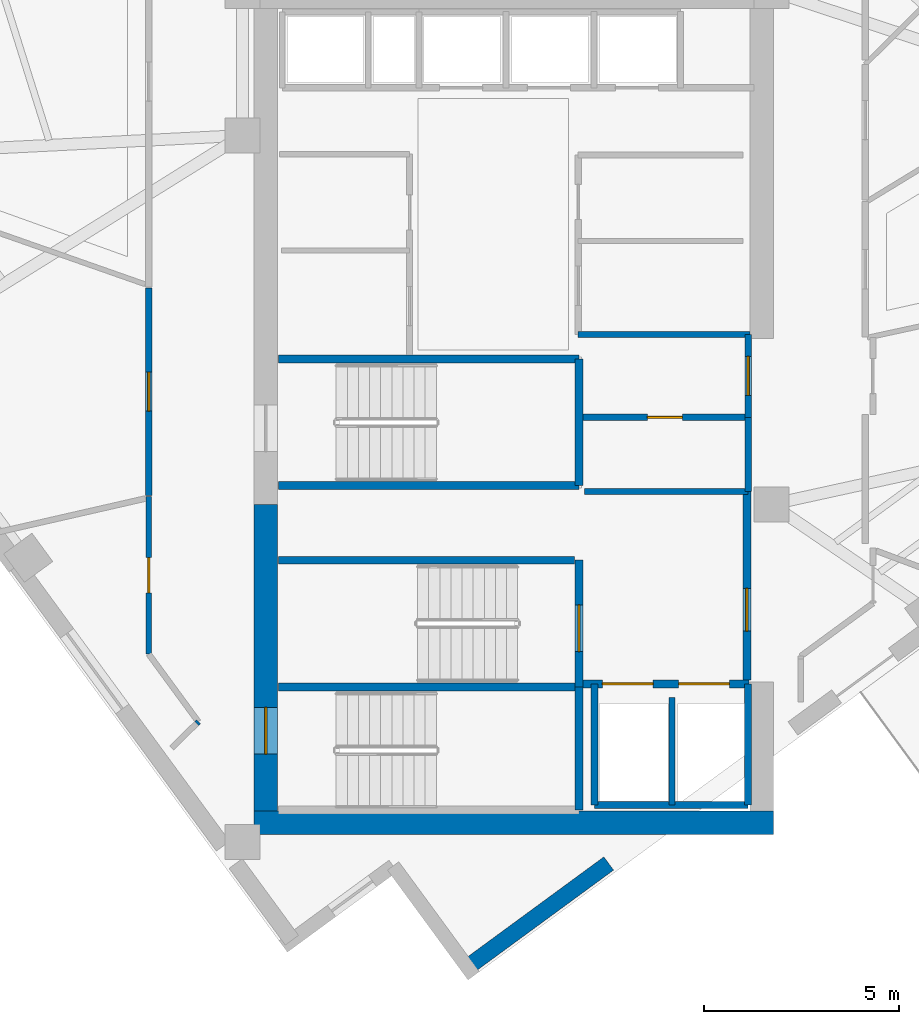
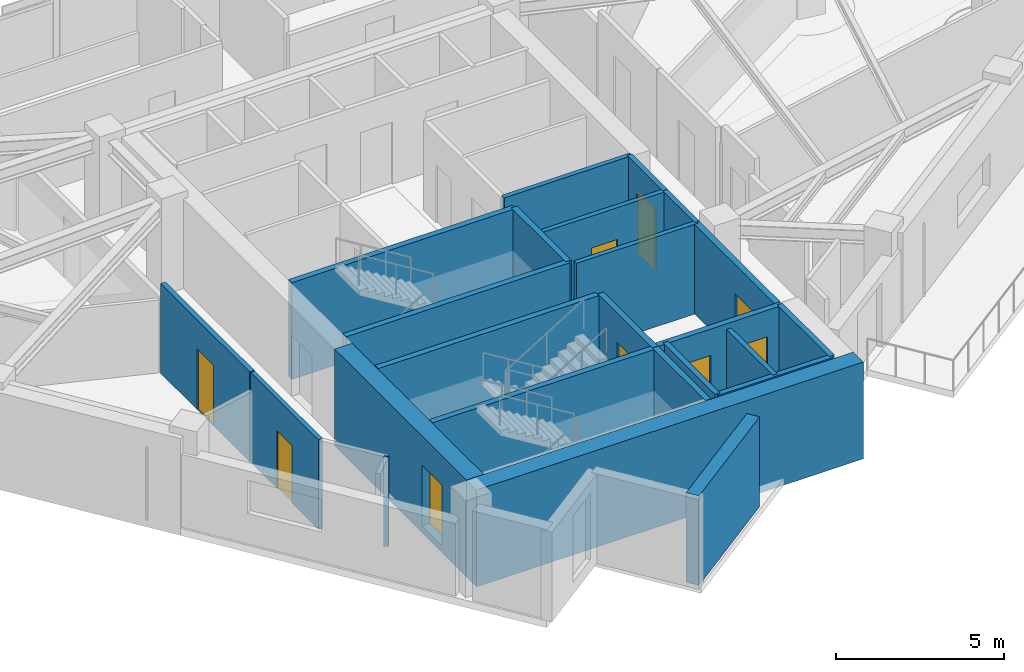
# One storey, part 8 of 13: 24 walls, 9 doors, 9 openings.
"""IFC4 building model written with IfcOpenShell, lengths in metres."""

from ifc_helpers import new_model, si_unit, direction, frame, frame_2d, origin, place, context, subcontext, project, spatial, rectangle, extrude, material, layer, layer_set, type_object, element, fill, save


model = new_model("IFC4")

# Units and contexts
model_context = context("Model", 3, precision=1e-05, world=origin(), true_north=direction((0.0, 1.0)))
body_context = subcontext(model_context, "Body", "Model", "MODEL_VIEW")
ifc_project = project(units=[si_unit("LENGTHUNIT", "METRE"), si_unit("AREAUNIT", "SQUARE_METRE"), si_unit("VOLUMEUNIT", "CUBIC_METRE"), si_unit("PLANEANGLEUNIT", "RADIAN"), si_unit("MASSUNIT", "GRAM", prefix="KILO")], contexts=[model_context])

# Site, building, storey
site_placement = place(None, origin())
site = spatial("IfcSite", under=ifc_project, at=site_placement, CompositionType="ELEMENT")
building_placement = place(site_placement, origin())
building = spatial("IfcBuilding", under=site, at=building_placement, Name="Narakoshi Arena Tower", CompositionType="ELEMENT")
storey_placement = place(building_placement, frame((0.0, 0.0, 232.580078125)))
storey = spatial("IfcBuildingStorey", under=building, at=storey_placement, Name="L63", CompositionType="ELEMENT", Elevation=232.580078125)

# Wall, opening, door
ifc_material_1 = material(Name="Concrete C50/60", Category="concrete")
ifc_layer_1 = layer(ifc_material_1, 0.60009765625)
ifc_layer_set_1 = layer_set([ifc_layer_1], Name="Concrete C50/60")
wall_type_1 = type_object("IfcWallType", Name="WL-CORE-600", PredefinedType="SHEAR", material=ifc_layer_set_1)
wall_1_placement = place(storey_placement, frame((72.60009765625, 35.5, -0.260009765625), z_axis=(0.0, 0.0, 1.0), x_axis=(0.0, 1.0, 0.0)))
wall_1 = element("IfcWall", 1, at=wall_1_placement, inside=storey, type_object=wall_type_1, Name="L63 Central Core Shear Wall CW-APX-W", PredefinedType="SHEAR", context=body_context, shape_type="SweptSolid", body=[
    extrude(rectangle(XDim=7.85009765625, YDim=0.60009765625, at=frame_2d((3.925048828125, 0.0))), origin(), (0.0, 0.0, 1.0), 3.52001953125),
])
opening_1_placement = place(wall_1_placement, frame((1.449951171875, 0.0, 0.260009765625)))
opening_1 = element("IfcOpeningElement", 2, at=opening_1_placement, cuts=wall_1, Name="Opening D-03", PredefinedType="OPENING", context=body_context, shape_type="SweptSolid", body=[
    extrude(rectangle(XDim=1.199951171875, YDim=2.199951171875, at=frame_2d((0.60009765625, 1.10009765625))), frame((0.0, 0.31005859375, 0.0), z_axis=(0.0, -1.0, 0.0), x_axis=(1.0, 0.0, 0.0)), (0.0, 0.0, 1.0), 0.6201171875),
])
ifc_material_2 = material(Name="Painted galvanized steel", Category="steel")
door_type_1 = type_object("IfcDoorType", Name="DR-STR-1200", OperationType="NOTDEFINED", PredefinedType="USERDEFINED", material=ifc_material_2)
door_1_placement = place(opening_1_placement, frame((1.199951171875, 0.0, 0.0), z_axis=(0.0, 0.0, 1.0), x_axis=(-1.0, 0.0, 0.0)))
door_1 = element("IfcDoor", 3, at=door_1_placement, inside=storey, type_object=door_type_1, Name="DR-L63-002", ObjectType="EXITDOOR", OperationType="SINGLE_SWING_LEFT", OverallHeight=2.199951171875, OverallWidth=1.199951171875, PredefinedType="USERDEFINED", context=body_context, shape_type="SweptSolid", body=[
    extrude(rectangle(XDim=1.199951171875, YDim=2.199951171875, at=frame_2d((0.60009765625, 1.10009765625))), frame((0.0, 0.02490234375, 0.0), z_axis=(0.0, -1.0, 0.0), x_axis=(1.0, 0.0, 0.0)), (0.0, 0.0, 1.0), 0.050048828125),
])
fill(opening_1, door_1)

# Wall
wall_2_placement = place(storey_placement, frame((72.300048828125, 35.199951171875, -0.260009765625), z_axis=(0.0, 0.0, 1.0), x_axis=(1.0, 0.0, 0.0)))
element("IfcWall", 4, at=wall_2_placement, inside=storey, type_object=wall_type_1, Name="L63 Central Core Shear Wall CW-APX-S", PredefinedType="SHEAR", context=body_context, shape_type="SweptSolid", body=[
    extrude(rectangle(XDim=13.300048828125, YDim=0.60009765625, at=frame_2d((6.64990234375, 0.0))), origin(), (0.0, 0.0, 1.0), 3.52001953125),
])

# Wall, opening, door
ifc_material_3 = material(Name="Gypsum plasterboard fire-rated partition")
ifc_layer_2 = layer(ifc_material_3, 0.1650390625)
ifc_layer_set_2 = layer_set([ifc_layer_2], Name="Gypsum plasterboard fire-rated partition")
wall_type_2 = type_object("IfcWallType", Name="WL-CORR-165", PredefinedType="PARTITIONING", material=ifc_layer_set_2)
wall_3_placement = place(storey_placement, frame((84.949951171875, 45.580078125, 0.0), z_axis=(0.0, 0.0, 1.0), x_axis=(0.0, 1.0, 0.0)))
wall_3 = element("IfcWall", 5, at=wall_3_placement, inside=storey, type_object=wall_type_2, Name="L63 Core Wall CPAS-E", PredefinedType="PARTITIONING", context=body_context, shape_type="SweptSolid", body=[
    extrude(rectangle(XDim=2.119873046875, YDim=0.1650390625, at=frame_2d((1.06005859375, 0.0))), origin(), (0.0, 0.0, 1.0), 3.260009765625),
])
opening_2_placement = place(wall_3_placement, frame((0.56005859375, 0.0, 0.0)))
opening_2 = element("IfcOpeningElement", 6, at=opening_2_placement, cuts=wall_3, Name="Opening D-06", PredefinedType="OPENING", context=body_context, shape_type="SweptSolid", body=[
    extrude(rectangle(XDim=1.0, YDim=2.199951171875, at=frame_2d((0.5, 1.10009765625))), frame((0.0, 0.092529296875, 0.0), z_axis=(0.0, -1.0, 0.0), x_axis=(1.0, 0.0, 0.0)), (0.0, 0.0, 1.0), 0.18505859375),
])
ifc_material_4 = material(Name="Stained oak solid-core timber", Category="wood")
door_type_2 = type_object("IfcDoorType", Name="DR-OFF-1000", OperationType="NOTDEFINED", PredefinedType="DOOR", material=ifc_material_4)
door_2_placement = place(opening_2_placement, frame((1.0, 0.0, 0.0), z_axis=(0.0, 0.0, 1.0), x_axis=(-1.0, 0.0, 0.0)))
door_2 = element("IfcDoor", 7, at=door_2_placement, inside=storey, type_object=door_type_2, Name="DR-L63-008", OperationType="SINGLE_SWING_LEFT", OverallHeight=2.199951171875, OverallWidth=1.0, PredefinedType="DOOR", context=body_context, shape_type="SweptSolid", body=[
    extrude(rectangle(XDim=1.0, YDim=2.199951171875, at=frame_2d((0.5, 1.10009765625))), frame((0.0, 0.02490234375, 0.0), z_axis=(0.0, -1.0, 0.0), x_axis=(1.0, 0.0, 0.0)), (0.0, 0.0, 1.0), 0.050048828125),
])
fill(opening_2, door_2)

wall_4_placement = place(storey_placement, frame((69.60009765625, 48.890380859375, 0.0), z_axis=(0.0, 0.0, 1.0), x_axis=(0.0, -1.0, 0.0)))
wall_4 = element("IfcWall", 8, at=wall_4_placement, inside=storey, type_object=wall_type_2, Name="L63 Corridor Partition 09-1", PredefinedType="PARTITIONING", context=body_context, shape_type="SweptSolid", body=[
    extrude(rectangle(XDim=5.309326171875, YDim=0.1650390625, at=frame_2d((2.65478515625, 0.0))), origin(), (0.0, 0.0, 1.0), 3.260009765625),
])
opening_3_placement = place(wall_4_placement, frame((2.15478515625, 0.0, 0.0)))
opening_3 = element("IfcOpeningElement", 9, at=opening_3_placement, cuts=wall_4, Name="Opening D-06", PredefinedType="OPENING", context=body_context, shape_type="SweptSolid", body=[
    extrude(rectangle(XDim=1.0, YDim=2.199951171875, at=frame_2d((0.5, 1.10009765625))), frame((0.0, 0.092529296875, 0.0), z_axis=(0.0, -1.0, 0.0), x_axis=(1.0, 0.0, 0.0)), (0.0, 0.0, 1.0), 0.18505859375),
])
door_3_placement = place(opening_3_placement, frame((1.0, 0.0, 0.0), z_axis=(0.0, 0.0, 1.0), x_axis=(-1.0, 0.0, 0.0)))
door_3 = element("IfcDoor", 10, at=door_3_placement, inside=storey, type_object=door_type_2, Name="DR-L63-025", OperationType="SINGLE_SWING_LEFT", OverallHeight=2.199951171875, OverallWidth=1.0, PredefinedType="DOOR", context=body_context, shape_type="SweptSolid", body=[
    extrude(rectangle(XDim=1.0, YDim=2.199951171875, at=frame_2d((0.5, 1.10009765625))), frame((0.0, 0.02490234375, 0.0), z_axis=(0.0, -1.0, 0.0), x_axis=(1.0, 0.0, 0.0)), (0.0, 0.0, 1.0), 0.050048828125),
])
fill(opening_3, door_3)

# Walls
ifc_material_5 = material(Name="Precast concrete C45/55", Category="concrete")
ifc_layer_3 = layer(ifc_material_5, 0.419921875)
ifc_layer_set_3 = layer_set([ifc_layer_3], Name="Precast concrete C45/55")
wall_type_3 = type_object("IfcWallType", Name="WL-POD-420", PredefinedType="SOLIDWALL", material=ifc_layer_set_3)
wall_5_placement = place(storey_placement, frame((77.760009765625, 31.4951171875, 0.0), z_axis=(0.0, 0.0, 1.0), x_axis=(0.806458583304, 0.591290582891, 0.0)))
element("IfcWall", 11, at=wall_5_placement, inside=storey, type_object=wall_type_3, Name="L63 Architectural Concrete Facade Wall LEGA-1", PredefinedType="SOLIDWALL", context=body_context, shape_type="SweptSolid", body=[
    extrude(rectangle(XDim=4.48974609375, YDim=0.419921875, at=frame_2d((2.244873046875, 0.0))), origin(), (0.0, 0.0, 1.0), 3.260009765625),
])
ifc_material_6 = material(Name="Concrete C40/50", Category="concrete")
ifc_layer_4 = layer(ifc_material_6, 0.280029296875)
ifc_layer_set_4 = layer_set([ifc_layer_4], Name="Concrete C40/50")
wall_type_4 = type_object("IfcWallType", Name="WL-RISER-280", PredefinedType="PLUMBINGWALL", material=ifc_layer_set_4)
wall_6_placement = place(storey_placement, frame((83.0, 35.64990234375, 0.0), z_axis=(0.0, 0.0, 1.0), x_axis=(0.0, 1.0, 0.0)))
element("IfcWall", 12, at=wall_6_placement, inside=storey, type_object=wall_type_4, Name="L63 Core Wall FF-DIV", PredefinedType="PLUMBINGWALL", context=body_context, shape_type="SweptSolid", body=[
    extrude(rectangle(XDim=2.75, YDim=0.159912109375, at=frame_2d((1.375, 0.0))), origin(), (0.0, 0.0, 1.0), 3.260009765625),
])
wall_7_placement = place(storey_placement, frame((84.949951171875, 43.679931640625, 0.0), z_axis=(0.0, 0.0, 1.0), x_axis=(0.0, 1.0, 0.0)))
element("IfcWall", 13, at=wall_7_placement, inside=storey, type_object=wall_type_4, Name="L63 Core Wall RSR-E", PredefinedType="PLUMBINGWALL", context=body_context, shape_type="SweptSolid", body=[
    extrude(rectangle(XDim=1.900146484375, YDim=0.1650390625, at=frame_2d((0.9501953125, 0.0))), origin(), (0.0, 0.0, 1.0), 3.260009765625),
])

# Wall, opening, door
wall_8_placement = place(storey_placement, frame((80.719970703125, 45.580078125, 0.0), z_axis=(0.0, 0.0, 1.0), x_axis=(1.0, 0.0, 0.0)))
wall_8 = element("IfcWall", 14, at=wall_8_placement, inside=storey, type_object=wall_type_4, Name="L63 Core Wall RSR-N", PredefinedType="PLUMBINGWALL", context=body_context, shape_type="SweptSolid", body=[
    extrude(rectangle(XDim=4.22998046875, YDim=0.159912109375, at=frame_2d((2.114990234375, 0.0))), origin(), (0.0, 0.0, 1.0), 3.260009765625),
])
opening_4_placement = place(wall_8_placement, frame((1.64990234375, 0.0, 0.0)))
opening_4 = element("IfcOpeningElement", 15, at=opening_4_placement, cuts=wall_8, Name="Opening D-08", PredefinedType="OPENING", context=body_context, shape_type="SweptSolid", body=[
    extrude(rectangle(XDim=0.89990234375, YDim=2.10009765625, at=frame_2d((0.449951171875, 1.050048828125))), frame((0.0, 0.08984375, 0.0), z_axis=(0.0, -1.0, 0.0), x_axis=(1.0, 0.0, 0.0)), (0.0, 0.0, 1.0), 0.179931640625),
])
ifc_material_7 = material(Name="Moisture-resistant laminate timber", Category="wood")
door_type_3 = type_object("IfcDoorType", Name="DR-WC-900", OperationType="NOTDEFINED", PredefinedType="DOOR", material=ifc_material_7)
door_4_placement = place(opening_4_placement, frame((0.89990234375, 0.0, 0.0), z_axis=(0.0, 0.0, 1.0), x_axis=(-1.0, 0.0, 0.0)))
door_4 = element("IfcDoor", 16, at=door_4_placement, inside=storey, type_object=door_type_3, Name="DR-L63-009", OperationType="SINGLE_SWING_LEFT", OverallHeight=2.10009765625, OverallWidth=0.89990234375, PredefinedType="DOOR", context=body_context, shape_type="SweptSolid", body=[
    extrude(rectangle(XDim=0.89990234375, YDim=2.10009765625, at=frame_2d((0.449951171875, 1.050048828125))), frame((0.0, 0.02490234375, 0.0), z_axis=(0.0, -1.0, 0.0), x_axis=(1.0, 0.0, 0.0)), (0.0, 0.0, 1.0), 0.050048828125),
])
fill(opening_4, door_4)

# Walls
wall_9_placement = place(storey_placement, frame((80.760009765625, 43.679931640625, 0.0), z_axis=(0.0, 0.0, 1.0), x_axis=(1.0, 0.0, 0.0)))
element("IfcWall", 17, at=wall_9_placement, inside=storey, type_object=wall_type_4, Name="L63 Core Wall RSR-S", PredefinedType="PLUMBINGWALL", context=body_context, shape_type="SweptSolid", body=[
    extrude(rectangle(XDim=4.18994140625, YDim=0.159912109375, at=frame_2d((2.094970703125, 0.0))), origin(), (0.0, 0.0, 1.0), 3.260009765625),
])
ifc_layer_5 = layer(ifc_material_1, 0.35009765625)
ifc_layer_set_5 = layer_set([ifc_layer_5], Name="Concrete C50/60")
wall_type_5 = type_object("IfcWallType", Name="WL-SHAFT-350", PredefinedType="SOLIDWALL", material=ifc_layer_set_5)
wall_10_placement = place(storey_placement, frame((72.919921875, 38.675048828125, -0.260009765625), z_axis=(0.0, 0.0, 1.0), x_axis=(1.0, 0.0, 0.0)))
element("IfcWall", 18, at=wall_10_placement, inside=storey, type_object=wall_type_5, Name="L63 Core Wall ST12-DIV", PredefinedType="SOLIDWALL", context=body_context, shape_type="SweptSolid", body=[
    extrude(rectangle(XDim=7.7001953125, YDim=0.199951171875, at=frame_2d((3.85009765625, 0.0))), origin(), (0.0, 0.0, 1.0), 3.52001953125),
])
wall_11_placement = place(storey_placement, frame((80.6201171875, 35.52001953125, -0.260009765625), z_axis=(0.0, 0.0, 1.0), x_axis=(0.0, 1.0, 0.0)))
element("IfcWall", 19, at=wall_11_placement, inside=storey, type_object=wall_type_5, Name="L63 Core Wall ST1-E", PredefinedType="SOLIDWALL", context=body_context, shape_type="SweptSolid", body=[
    extrude(rectangle(XDim=3.155029296875, YDim=0.199951171875, at=frame_2d((1.57763671875, 0.0))), origin(), (0.0, 0.0, 1.0), 3.52001953125),
])

# Wall, opening, door
wall_12_placement = place(storey_placement, frame((80.6201171875, 38.675048828125, -0.260009765625), z_axis=(0.0, 0.0, 1.0), x_axis=(0.0, 1.0, 0.0)))
wall_12 = element("IfcWall", 20, at=wall_12_placement, inside=storey, type_object=wall_type_5, Name="L63 Core Wall ST2-E", PredefinedType="SOLIDWALL", context=body_context, shape_type="SweptSolid", body=[
    extrude(rectangle(XDim=3.244873046875, YDim=0.199951171875, at=frame_2d((1.62255859375, 0.0))), origin(), (0.0, 0.0, 1.0), 3.52001953125),
])
opening_5_placement = place(wall_12_placement, frame((0.89990234375, 0.0, 0.260009765625)))
opening_5 = element("IfcOpeningElement", 21, at=opening_5_placement, cuts=wall_12, Name="Opening D-03", PredefinedType="OPENING", context=body_context, shape_type="SweptSolid", body=[
    extrude(rectangle(XDim=1.199951171875, YDim=2.199951171875, at=frame_2d((0.60009765625, 1.10009765625))), frame((0.0, 0.10986328125, 0.0), z_axis=(0.0, -1.0, 0.0), x_axis=(1.0, 0.0, 0.0)), (0.0, 0.0, 1.0), 0.219970703125),
])
door_5_placement = place(opening_5_placement, origin())
door_5 = element("IfcDoor", 22, at=door_5_placement, inside=storey, type_object=door_type_1, Name="DR-L63-003", ObjectType="EXITDOOR", OperationType="SINGLE_SWING_RIGHT", OverallHeight=2.199951171875, OverallWidth=1.199951171875, PredefinedType="USERDEFINED", context=body_context, shape_type="SweptSolid", body=[
    extrude(rectangle(XDim=1.199951171875, YDim=2.199951171875, at=frame_2d((0.60009765625, 1.10009765625))), frame((0.0, 0.02490234375, 0.0), z_axis=(0.0, -1.0, 0.0), x_axis=(1.0, 0.0, 0.0)), (0.0, 0.0, 1.0), 0.050048828125),
])
fill(opening_5, door_5)

# Wall, openings, doors
wall_13_placement = place(storey_placement, frame((80.719970703125, 38.75, 0.0), z_axis=(0.0, 0.0, 1.0), x_axis=(1.0, 0.0, 0.0)))
wall_13 = element("IfcWall", 23, at=wall_13_placement, inside=storey, type_object=wall_type_5, Name="L63 Core Wall FF-N", PredefinedType="SOLIDWALL", context=body_context, shape_type="SweptSolid", body=[
    extrude(rectangle(XDim=4.260009765625, YDim=0.199951171875, at=frame_2d((2.1298828125, 0.0))), origin(), (0.0, 0.0, 1.0), 3.260009765625),
])
opening_6_placement = place(wall_13_placement, frame((0.5, 0.0, 0.0)))
opening_6 = element("IfcOpeningElement", 24, at=opening_6_placement, cuts=wall_13, Name="Opening LD-02", PredefinedType="OPENING", context=body_context, shape_type="SweptSolid", body=[
    extrude(rectangle(XDim=1.300048828125, YDim=2.300048828125, at=frame_2d((0.64990234375, 1.14990234375))), frame((0.0, 0.10986328125, 0.0), z_axis=(0.0, -1.0, 0.0), x_axis=(1.0, 0.0, 0.0)), (0.0, 0.0, 1.0), 0.219970703125),
])
opening_7_placement = place(wall_13_placement, frame((2.449951171875, 0.0, 0.0)))
opening_7 = element("IfcOpeningElement", 25, at=opening_7_placement, cuts=wall_13, Name="Opening LD-02", PredefinedType="OPENING", context=body_context, shape_type="SweptSolid", body=[
    extrude(rectangle(XDim=1.300048828125, YDim=2.300048828125, at=frame_2d((0.64990234375, 1.14990234375))), frame((0.0, 0.10986328125, 0.0), z_axis=(0.0, -1.0, 0.0), x_axis=(1.0, 0.0, 0.0)), (0.0, 0.0, 1.0), 0.219970703125),
])
ifc_material_8 = material(Name="Brushed bronze stainless steel", Category="steel")
door_type_4 = type_object("IfcDoorType", Name="DR-LFT-1300", OperationType="DOUBLE_DOOR_SLIDING", PredefinedType="DOOR", material=ifc_material_8)
door_6_placement = place(opening_6_placement, origin())
door_6 = element("IfcDoor", 26, at=door_6_placement, inside=storey, type_object=door_type_4, Name="DR-L63-004", OperationType="DOUBLE_DOOR_SLIDING", OverallHeight=2.300048828125, OverallWidth=1.300048828125, PredefinedType="DOOR", context=body_context, shape_type="SweptSolid", body=[
    extrude(rectangle(XDim=1.300048828125, YDim=2.300048828125, at=frame_2d((0.64990234375, 1.14990234375))), frame((0.0, 0.02490234375, 0.0), z_axis=(0.0, -1.0, 0.0), x_axis=(1.0, 0.0, 0.0)), (0.0, 0.0, 1.0), 0.050048828125),
])
fill(opening_6, door_6)
door_7_placement = place(opening_7_placement, origin())
door_7 = element("IfcDoor", 27, at=door_7_placement, inside=storey, type_object=door_type_4, Name="DR-L63-005", OperationType="DOUBLE_DOOR_SLIDING", OverallHeight=2.300048828125, OverallWidth=1.300048828125, PredefinedType="DOOR", context=body_context, shape_type="SweptSolid", body=[
    extrude(rectangle(XDim=1.300048828125, YDim=2.300048828125, at=frame_2d((0.64990234375, 1.14990234375))), frame((0.0, 0.02490234375, 0.0), z_axis=(0.0, -1.0, 0.0), x_axis=(1.0, 0.0, 0.0)), (0.0, 0.0, 1.0), 0.050048828125),
])
fill(opening_7, door_7)

# Walls
for number, where, z_axis, x_axis, name in (
    (28, (84.949951171875, 35.64990234375, 0.0), (0.0, 0.0, 1.0), (0.0, 1.0, 0.0), "L63 Core Wall FF-E"),
    (29, (81.02001953125, 35.64990234375, 0.0), (0.0, 0.0, 1.0), (0.0, 1.0, 0.0), "L63 Core Wall FF-W"),
):
    element("IfcWall", number, at=place(storey_placement, frame(where, z_axis=z_axis, x_axis=x_axis)), inside=storey, type_object=wall_type_5, Name=name, PredefinedType="SOLIDWALL", context=body_context, shape_type="SweptSolid", body=[
        extrude(rectangle(XDim=3.10009765625, YDim=0.179931640625, at=frame_2d((1.550048828125, 0.0))), origin(), (0.0, 0.0, 1.0), 3.260009765625),
    ])
wall_14_placement = place(storey_placement, frame((81.02001953125, 35.64990234375, 0.0), z_axis=(0.0, 0.0, 1.0), x_axis=(1.0, 0.0, 0.0)))
element("IfcWall", 30, at=wall_14_placement, inside=storey, type_object=wall_type_5, Name="L63 Core Wall FF-S", PredefinedType="SOLIDWALL", context=body_context, shape_type="SweptSolid", body=[
    extrude(rectangle(XDim=3.929931640625, YDim=0.179931640625, at=frame_2d((1.96484375, 0.0))), origin(), (0.0, 0.0, 1.0), 3.260009765625),
])

# Wall, opening, door
wall_15_placement = place(storey_placement, frame((84.919921875, 38.85009765625, 0.0), z_axis=(0.0, 0.0, 1.0), x_axis=(0.0, 1.0, 0.0)))
wall_15 = element("IfcWall", 31, at=wall_15_placement, inside=storey, type_object=wall_type_5, Name="L63 Core Wall FFLOB-E", PredefinedType="SOLIDWALL", context=body_context, shape_type="SweptSolid", body=[
    extrude(rectangle(XDim=4.829833984375, YDim=0.199951171875, at=frame_2d((2.4150390625, 0.0))), origin(), (0.0, 0.0, 1.0), 3.260009765625),
])
opening_8_placement = place(wall_15_placement, frame((1.25, 0.0, 0.0)))
opening_8 = element("IfcOpeningElement", 32, at=opening_8_placement, cuts=wall_15, Name="Opening D-04", PredefinedType="OPENING", context=body_context, shape_type="SweptSolid", body=[
    extrude(rectangle(XDim=1.10009765625, YDim=2.199951171875, at=frame_2d((0.550048828125, 1.10009765625))), frame((0.0, 0.10986328125, 0.0), z_axis=(0.0, -1.0, 0.0), x_axis=(1.0, 0.0, 0.0)), (0.0, 0.0, 1.0), 0.219970703125),
])
door_type_5 = type_object("IfcDoorType", Name="DR-FFL-1100", OperationType="NOTDEFINED", PredefinedType="DOOR", material=ifc_material_2)
door_8_placement = place(opening_8_placement, frame((1.10009765625, 0.0, 0.0), z_axis=(0.0, 0.0, 1.0), x_axis=(-1.0, 0.0, 0.0)))
door_8 = element("IfcDoor", 33, at=door_8_placement, inside=storey, type_object=door_type_5, Name="DR-L63-006", OperationType="SINGLE_SWING_RIGHT", OverallHeight=2.199951171875, OverallWidth=1.10009765625, PredefinedType="DOOR", context=body_context, shape_type="SweptSolid", body=[
    extrude(rectangle(XDim=1.10009765625, YDim=2.199951171875, at=frame_2d((0.550048828125, 1.10009765625))), frame((0.0, 0.02490234375, 0.0), z_axis=(0.0, -1.0, 0.0), x_axis=(1.0, 0.0, 0.0)), (0.0, 0.0, 1.0), 0.050048828125),
])
fill(opening_8, door_8)

# Walls
wall_16_placement = place(storey_placement, frame((72.919921875, 41.919921875, -0.260009765625), z_axis=(0.0, 0.0, 1.0), x_axis=(1.0, 0.0, 0.0)))
element("IfcWall", 34, at=wall_16_placement, inside=storey, type_object=wall_type_5, Name="L63 Core Wall ST2-N", PredefinedType="SOLIDWALL", context=body_context, shape_type="SweptSolid", body=[
    extrude(rectangle(XDim=7.580078125, YDim=0.199951171875, at=frame_2d((3.7900390625, 0.0))), origin(), (0.0, 0.0, 1.0), 3.52001953125),
])
for number, where, z_axis, x_axis, name in (
    (35, (72.919921875, 43.830078125, -0.260009765625), (0.0, 0.0, 1.0), (1.0, 0.0, 0.0), "L63 Core Wall ST3-S"),
    (36, (72.919921875, 47.070068359375, -0.260009765625), (0.0, 0.0, 1.0), (1.0, 0.0, 0.0), "L63 Core Wall ST3-N"),
):
    element("IfcWall", number, at=place(storey_placement, frame(where, z_axis=z_axis, x_axis=x_axis)), inside=storey, type_object=wall_type_5, Name=name, PredefinedType="SOLIDWALL", context=body_context, shape_type="SweptSolid", body=[
        extrude(rectangle(XDim=7.7001953125, YDim=0.199951171875, at=frame_2d((3.85009765625, 0.0))), origin(), (0.0, 0.0, 1.0), 3.52001953125),
    ])
wall_17_placement = place(storey_placement, frame((80.6201171875, 43.830078125, -0.260009765625), z_axis=(0.0, 0.0, 1.0), x_axis=(0.0, 1.0, 0.0)))
element("IfcWall", 37, at=wall_17_placement, inside=storey, type_object=wall_type_5, Name="L63 Core Wall ST3-E", PredefinedType="SOLIDWALL", context=body_context, shape_type="SweptSolid", body=[
    extrude(rectangle(XDim=3.239990234375, YDim=0.199951171875, at=frame_2d((1.6201171875, 0.0))), origin(), (0.0, 0.0, 1.0), 3.52001953125),
])
wall_18_placement = place(storey_placement, frame((80.60009765625, 47.699951171875, 0.0), z_axis=(0.0, 0.0, 1.0), x_axis=(1.0, 0.0, 0.0)))
element("IfcWall", 38, at=wall_18_placement, inside=storey, type_object=wall_type_5, Name="L63 Core Wall MR-S", PredefinedType="SOLIDWALL", context=body_context, shape_type="SweptSolid", body=[
    extrude(rectangle(XDim=4.39990234375, YDim=0.159912109375, at=frame_2d((2.199951171875, 0.0))), origin(), (0.0, 0.0, 1.0), 3.260009765625),
])

# Wall, opening, door
ifc_material_9 = material(Name="Moisture-resistant cement-board partition")
ifc_layer_6 = layer(ifc_material_9, 0.14501953125)
ifc_layer_set_6 = layer_set([ifc_layer_6], Name="Moisture-resistant cement-board partition")
wall_type_6 = type_object("IfcWallType", Name="WL-WET-145", PredefinedType="PARTITIONING", material=ifc_layer_set_6)
wall_19_placement = place(storey_placement, frame((69.60009765625, 43.556396484375, 0.0), z_axis=(0.0, 0.0, 1.0), x_axis=(0.0, -1.0, 0.0)))
wall_19 = element("IfcWall", 39, at=wall_19_placement, inside=storey, type_object=wall_type_6, Name="L63 Corridor Partition 01-1", PredefinedType="PARTITIONING", context=body_context, shape_type="SweptSolid", body=[
    extrude(rectangle(XDim=4.044677734375, YDim=0.14501953125, at=frame_2d((2.0224609375, 0.0))), origin(), (0.0, 0.0, 1.0), 3.260009765625),
])
opening_9_placement = place(wall_19_placement, frame((1.572265625, 0.0, 0.0)))
opening_9 = element("IfcOpeningElement", 40, at=opening_9_placement, cuts=wall_19, Name="Opening D-08", PredefinedType="OPENING", context=body_context, shape_type="SweptSolid", body=[
    extrude(rectangle(XDim=0.89990234375, YDim=2.10009765625, at=frame_2d((0.449951171875, 1.050048828125))), frame((0.0, 0.08251953125, 0.0), z_axis=(0.0, -1.0, 0.0), x_axis=(1.0, 0.0, 0.0)), (0.0, 0.0, 1.0), 0.1650390625),
])
door_9_placement = place(opening_9_placement, frame((0.89990234375, 0.0, 0.0), z_axis=(0.0, 0.0, 1.0), x_axis=(-1.0, 0.0, 0.0)))
door_9 = element("IfcDoor", 41, at=door_9_placement, inside=storey, type_object=door_type_3, Name="DR-L63-017", OperationType="SINGLE_SWING_RIGHT", OverallHeight=2.10009765625, OverallWidth=0.89990234375, PredefinedType="DOOR", context=body_context, shape_type="SweptSolid", body=[
    extrude(rectangle(XDim=0.89990234375, YDim=2.10009765625, at=frame_2d((0.449951171875, 1.050048828125))), frame((0.0, 0.02490234375, 0.0), z_axis=(0.0, -1.0, 0.0), x_axis=(1.0, 0.0, 0.0)), (0.0, 0.0, 1.0), 0.050048828125),
])
fill(opening_9, door_9)

# Wall
wall_20_placement = place(storey_placement, frame((70.868408203125, 37.78173828125, 0.0), z_axis=(0.0, 0.0, 1.0), x_axis=(-0.709118452534, -0.705089370417, 0.0)))
element("IfcWall", 42, at=wall_20_placement, inside=storey, type_object=wall_type_6, Name="L63 Corridor Partition 01-3", PredefinedType="PARTITIONING", context=body_context, shape_type="SweptSolid", body=[
    extrude(rectangle(XDim=0.060546875, YDim=0.14501953125, at=frame_2d((0.0302734375, 0.0))), origin(), (0.0, 0.0, 1.0), 3.260009765625),
])

save(model, "model.ifc")
